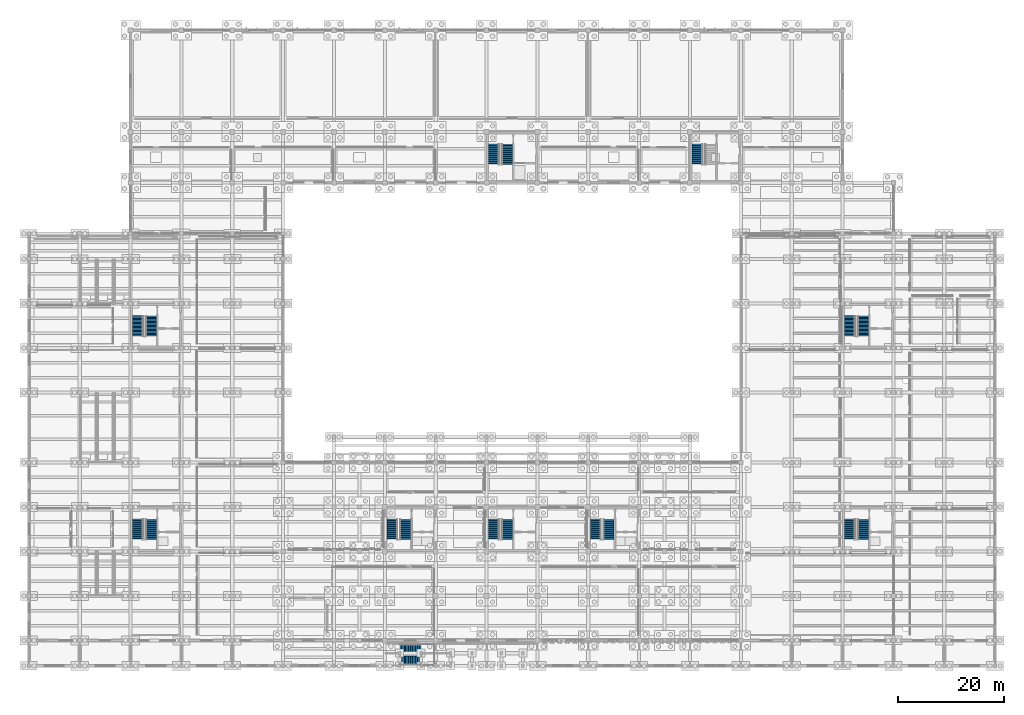
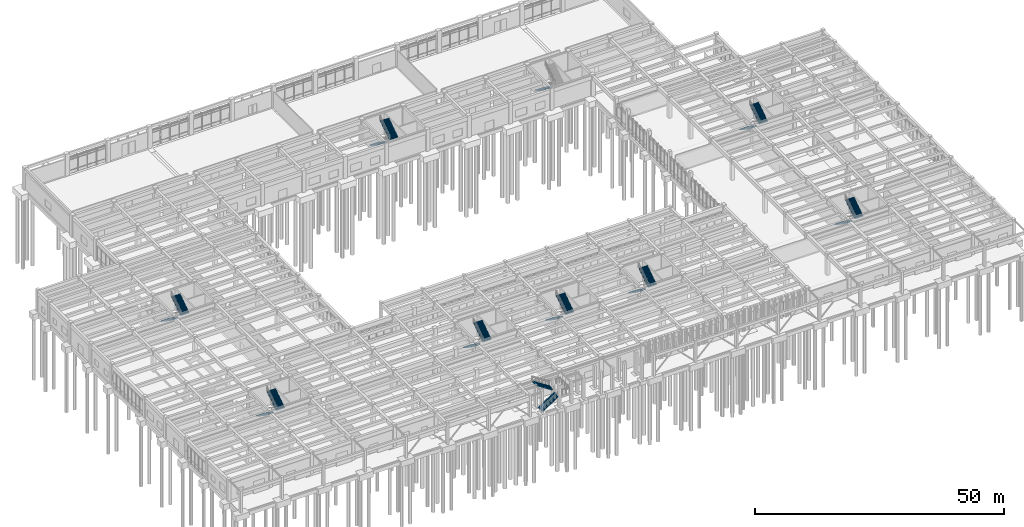
# One storey, part 86 of 102: 19 stair flights, 10 elements without a shape of their own.
"""IFC4 building model written with IfcOpenShell, lengths in metres."""

from ifc_helpers import new_model, si_unit, direction, frame, origin, place, context, subcontext, project, spatial, polyline, outline, extrude, material, type_object, element, aggregate, save


model = new_model("IFC4")

# Units and contexts
model_context = context("Model", 3, precision=1e-05, world=origin(), true_north=direction((0.0, 1.0)))
body_context = subcontext(model_context, "Body", "Model", "MODEL_VIEW")
ifc_project = project(units=[si_unit("LENGTHUNIT", "METRE"), si_unit("AREAUNIT", "SQUARE_METRE"), si_unit("VOLUMEUNIT", "CUBIC_METRE"), si_unit("PLANEANGLEUNIT", "RADIAN"), si_unit("MASSUNIT", "GRAM", prefix="KILO")], contexts=[model_context])

# Site, building, storey
site_placement = place(None, origin())
site = spatial("IfcSite", under=ifc_project, at=site_placement, CompositionType="ELEMENT")
building_placement = place(site_placement, origin())
building = spatial("IfcBuilding", under=site, at=building_placement, Name="Kolvemor Railside Polytechnic", CompositionType="ELEMENT")
storey_placement = place(building_placement, origin())
storey = spatial("IfcBuildingStorey", under=building, at=storey_placement, Name="L00", CompositionType="ELEMENT", Elevation=0.0)

# Stair, stair flights
ifc_material_1 = material(Name="Concrete C40/50", Category="concrete")
stair_type_1 = type_object("IfcStairType", Name="STR-CORE-540", PredefinedType="HALF_TURN_STAIR", material=ifc_material_1)
stair_1_placement = place(storey_placement, origin())
stair_1 = element("IfcStair", 1, at=stair_1_placement, inside=storey, type_object=stair_type_1, Name="Core Stair ST-1 (L00 to L01)", PredefinedType="HALF_TURN_STAIR")
ifc_material_2 = material(Name="Concrete C40/50", Category="concrete")
stair_flight_type_1 = type_object("IfcStairFlightType", Name="SFL-RC-200", PredefinedType="STRAIGHT", material=ifc_material_2)
stair_flight_1_placement = place(storey_placement, frame((68.580078125, 27.699951171875, 0.0), z_axis=(0.0, 0.0, 1.0), x_axis=(0.0, -1.0, 0.0)))
stair_flight_1 = element("IfcStairFlight", 2, at=stair_flight_1_placement, type_object=stair_flight_type_1, Name="ST-1-L00 flight 1", NumberOfRisers=16, NumberOfTreads=15, PredefinedType="STRAIGHT", RiserHeight=0.16875, TreadLength=0.252, context=body_context, shape_type="SweptSolid", body=[
    extrude(outline(polyline([(0.0, 0.0), (0.0, 0.168701171875), (0.251953125, 0.168701171875), (0.251953125, 0.33740234375), (0.50390625, 0.33740234375), (0.50390625, 0.50634765625), (0.756103515625, 0.50634765625), (0.756103515625, 0.675048828125), (1.008056640625, 0.675048828125), (1.008056640625, 0.84375), (1.260009765625, 0.84375), (1.260009765625, 1.012451171875), (1.511962890625, 1.012451171875), (1.511962890625, 1.18115234375), (1.763916015625, 1.18115234375), (1.763916015625, 1.35009765625), (2.01611328125, 1.35009765625), (2.01611328125, 1.518798828125), (2.26806640625, 1.518798828125), (2.26806640625, 1.6875), (2.52001953125, 1.6875), (2.52001953125, 1.856201171875), (2.77197265625, 1.856201171875), (2.77197265625, 2.02490234375), (3.02392578125, 2.02490234375), (3.02392578125, 2.19384765625), (3.27587890625, 2.19384765625), (3.27587890625, 2.362548828125), (3.528076171875, 2.362548828125), (3.528076171875, 2.53125), (3.780029296875, 2.53125), (3.780029296875, 2.699951171875), (3.780029296875, 2.314697265625), (0.323486328125, 0.0), (0.0, 0.0)])), frame((0.0, 1.0, 0.0), z_axis=(0.0, -1.0, 0.0), x_axis=(1.0, 0.0, 0.0)), (0.0, 0.0, 1.0), 2.0),
])
stair_flight_2_placement = place(storey_placement, frame((71.080078125, 23.860107421875, 2.699951171875), z_axis=(0.0, 0.0, 1.0), x_axis=(0.0, 1.0, 0.0)))
stair_flight_2 = element("IfcStairFlight", 3, at=stair_flight_2_placement, type_object=stair_flight_type_1, Name="ST-1-L00 flight 2", NumberOfRisers=16, NumberOfTreads=15, PredefinedType="STRAIGHT", RiserHeight=0.16875, TreadLength=0.252, context=body_context, shape_type="SweptSolid", body=[
    extrude(outline(polyline([(0.0, 0.0), (0.0, 0.168701171875), (0.251953125, 0.168701171875), (0.251953125, 0.33740234375), (0.50390625, 0.33740234375), (0.50390625, 0.50634765625), (0.756103515625, 0.50634765625), (0.756103515625, 0.675048828125), (1.008056640625, 0.675048828125), (1.008056640625, 0.84375), (1.260009765625, 0.84375), (1.260009765625, 1.012451171875), (1.511962890625, 1.012451171875), (1.511962890625, 1.18115234375), (1.763916015625, 1.18115234375), (1.763916015625, 1.35009765625), (2.01611328125, 1.35009765625), (2.01611328125, 1.518798828125), (2.26806640625, 1.518798828125), (2.26806640625, 1.6875), (2.52001953125, 1.6875), (2.52001953125, 1.856201171875), (2.77197265625, 1.856201171875), (2.77197265625, 2.02490234375), (3.02392578125, 2.02490234375), (3.02392578125, 2.19384765625), (3.27587890625, 2.19384765625), (3.27587890625, 2.362548828125), (3.528076171875, 2.362548828125), (3.528076171875, 2.53125), (3.780029296875, 2.53125), (3.780029296875, 2.699951171875), (3.780029296875, 2.314697265625), (0.323486328125, 0.0), (0.0, 0.0)])), frame((0.0, 1.0, 0.0), z_axis=(0.0, -1.0, 0.0), x_axis=(1.0, 0.0, 0.0)), (0.0, 0.0, 1.0), 2.0),
])
aggregate(stair_1, [stair_flight_1, stair_flight_2])

stair_2_placement = place(storey_placement, origin())
stair_2 = element("IfcStair", 4, at=stair_2_placement, inside=storey, type_object=stair_type_1, Name="Core Stair ST-2 (L00 to L01)", PredefinedType="HALF_TURN_STAIR")
stair_flight_3_placement = place(storey_placement, frame((106.97998046875, 27.699951171875, 0.0), z_axis=(0.0, 0.0, 1.0), x_axis=(0.0, -1.0, 0.0)))
stair_flight_3 = element("IfcStairFlight", 5, at=stair_flight_3_placement, type_object=stair_flight_type_1, Name="ST-2-L00 flight 1", NumberOfRisers=16, NumberOfTreads=15, PredefinedType="STRAIGHT", RiserHeight=0.16875, TreadLength=0.252, context=body_context, shape_type="SweptSolid", body=[
    extrude(outline(polyline([(0.0, 0.0), (0.0, 0.168701171875), (0.251953125, 0.168701171875), (0.251953125, 0.33740234375), (0.50390625, 0.33740234375), (0.50390625, 0.50634765625), (0.756103515625, 0.50634765625), (0.756103515625, 0.675048828125), (1.008056640625, 0.675048828125), (1.008056640625, 0.84375), (1.260009765625, 0.84375), (1.260009765625, 1.012451171875), (1.511962890625, 1.012451171875), (1.511962890625, 1.18115234375), (1.763916015625, 1.18115234375), (1.763916015625, 1.35009765625), (2.01611328125, 1.35009765625), (2.01611328125, 1.518798828125), (2.26806640625, 1.518798828125), (2.26806640625, 1.6875), (2.52001953125, 1.6875), (2.52001953125, 1.856201171875), (2.77197265625, 1.856201171875), (2.77197265625, 2.02490234375), (3.02392578125, 2.02490234375), (3.02392578125, 2.19384765625), (3.27587890625, 2.19384765625), (3.27587890625, 2.362548828125), (3.528076171875, 2.362548828125), (3.528076171875, 2.53125), (3.780029296875, 2.53125), (3.780029296875, 2.699951171875), (3.780029296875, 2.314697265625), (0.323486328125, 0.0), (0.0, 0.0)])), frame((0.0, 1.0, 0.0), z_axis=(0.0, -1.0, 0.0), x_axis=(1.0, 0.0, 0.0)), (0.0, 0.0, 1.0), 2.0),
])
stair_flight_4_placement = place(storey_placement, frame((109.47998046875, 23.860107421875, 2.699951171875), z_axis=(0.0, 0.0, 1.0), x_axis=(0.0, 1.0, 0.0)))
stair_flight_4 = element("IfcStairFlight", 6, at=stair_flight_4_placement, type_object=stair_flight_type_1, Name="ST-2-L00 flight 2", NumberOfRisers=16, NumberOfTreads=15, PredefinedType="STRAIGHT", RiserHeight=0.16875, TreadLength=0.252, context=body_context, shape_type="SweptSolid", body=[
    extrude(outline(polyline([(0.0, 0.0), (0.0, 0.168701171875), (0.251953125, 0.168701171875), (0.251953125, 0.33740234375), (0.50390625, 0.33740234375), (0.50390625, 0.50634765625), (0.756103515625, 0.50634765625), (0.756103515625, 0.675048828125), (1.008056640625, 0.675048828125), (1.008056640625, 0.84375), (1.260009765625, 0.84375), (1.260009765625, 1.012451171875), (1.511962890625, 1.012451171875), (1.511962890625, 1.18115234375), (1.763916015625, 1.18115234375), (1.763916015625, 1.35009765625), (2.01611328125, 1.35009765625), (2.01611328125, 1.518798828125), (2.26806640625, 1.518798828125), (2.26806640625, 1.6875), (2.52001953125, 1.6875), (2.52001953125, 1.856201171875), (2.77197265625, 1.856201171875), (2.77197265625, 2.02490234375), (3.02392578125, 2.02490234375), (3.02392578125, 2.19384765625), (3.27587890625, 2.19384765625), (3.27587890625, 2.362548828125), (3.528076171875, 2.362548828125), (3.528076171875, 2.53125), (3.780029296875, 2.53125), (3.780029296875, 2.699951171875), (3.780029296875, 2.314697265625), (0.323486328125, 0.0), (0.0, 0.0)])), frame((0.0, 1.0, 0.0), z_axis=(0.0, -1.0, 0.0), x_axis=(1.0, 0.0, 0.0)), (0.0, 0.0, 1.0), 2.0),
])
aggregate(stair_2, [stair_flight_3, stair_flight_4])

stair_3_placement = place(storey_placement, origin())
stair_3 = element("IfcStair", 7, at=stair_3_placement, inside=storey, type_object=stair_type_1, Name="Core Stair ST-3 (L00 to L01)", PredefinedType="HALF_TURN_STAIR")
stair_flight_5_placement = place(storey_placement, frame((87.780029296875, 27.699951171875, 0.0), z_axis=(0.0, 0.0, 1.0), x_axis=(0.0, -1.0, 0.0)))
stair_flight_5 = element("IfcStairFlight", 8, at=stair_flight_5_placement, type_object=stair_flight_type_1, Name="ST-3-L00 flight 1", NumberOfRisers=16, NumberOfTreads=15, PredefinedType="STRAIGHT", RiserHeight=0.16875, TreadLength=0.252, context=body_context, shape_type="SweptSolid", body=[
    extrude(outline(polyline([(0.0, 0.0), (0.0, 0.168701171875), (0.251953125, 0.168701171875), (0.251953125, 0.33740234375), (0.50390625, 0.33740234375), (0.50390625, 0.50634765625), (0.756103515625, 0.50634765625), (0.756103515625, 0.675048828125), (1.008056640625, 0.675048828125), (1.008056640625, 0.84375), (1.260009765625, 0.84375), (1.260009765625, 1.012451171875), (1.511962890625, 1.012451171875), (1.511962890625, 1.18115234375), (1.763916015625, 1.18115234375), (1.763916015625, 1.35009765625), (2.01611328125, 1.35009765625), (2.01611328125, 1.518798828125), (2.26806640625, 1.518798828125), (2.26806640625, 1.6875), (2.52001953125, 1.6875), (2.52001953125, 1.856201171875), (2.77197265625, 1.856201171875), (2.77197265625, 2.02490234375), (3.02392578125, 2.02490234375), (3.02392578125, 2.19384765625), (3.27587890625, 2.19384765625), (3.27587890625, 2.362548828125), (3.528076171875, 2.362548828125), (3.528076171875, 2.53125), (3.780029296875, 2.53125), (3.780029296875, 2.699951171875), (3.780029296875, 2.314697265625), (0.323486328125, 0.0), (0.0, 0.0)])), frame((0.0, 1.0, 0.0), z_axis=(0.0, -1.0, 0.0), x_axis=(1.0, 0.0, 0.0)), (0.0, 0.0, 1.0), 2.0),
])
stair_flight_6_placement = place(storey_placement, frame((90.280029296875, 23.860107421875, 2.699951171875), z_axis=(0.0, 0.0, 1.0), x_axis=(0.0, 1.0, 0.0)))
stair_flight_6 = element("IfcStairFlight", 9, at=stair_flight_6_placement, type_object=stair_flight_type_1, Name="ST-3-L00 flight 2", NumberOfRisers=16, NumberOfTreads=15, PredefinedType="STRAIGHT", RiserHeight=0.16875, TreadLength=0.252, context=body_context, shape_type="SweptSolid", body=[
    extrude(outline(polyline([(0.0, 0.0), (0.0, 0.168701171875), (0.251953125, 0.168701171875), (0.251953125, 0.33740234375), (0.50390625, 0.33740234375), (0.50390625, 0.50634765625), (0.756103515625, 0.50634765625), (0.756103515625, 0.675048828125), (1.008056640625, 0.675048828125), (1.008056640625, 0.84375), (1.260009765625, 0.84375), (1.260009765625, 1.012451171875), (1.511962890625, 1.012451171875), (1.511962890625, 1.18115234375), (1.763916015625, 1.18115234375), (1.763916015625, 1.35009765625), (2.01611328125, 1.35009765625), (2.01611328125, 1.518798828125), (2.26806640625, 1.518798828125), (2.26806640625, 1.6875), (2.52001953125, 1.6875), (2.52001953125, 1.856201171875), (2.77197265625, 1.856201171875), (2.77197265625, 2.02490234375), (3.02392578125, 2.02490234375), (3.02392578125, 2.19384765625), (3.27587890625, 2.19384765625), (3.27587890625, 2.362548828125), (3.528076171875, 2.362548828125), (3.528076171875, 2.53125), (3.780029296875, 2.53125), (3.780029296875, 2.699951171875), (3.780029296875, 2.314697265625), (0.323486328125, 0.0), (0.0, 0.0)])), frame((0.0, 1.0, 0.0), z_axis=(0.0, -1.0, 0.0), x_axis=(1.0, 0.0, 0.0)), (0.0, 0.0, 1.0), 2.0),
])
aggregate(stair_3, [stair_flight_5, stair_flight_6])

stair_4_placement = place(storey_placement, origin())
stair_4 = element("IfcStair", 10, at=stair_4_placement, inside=storey, type_object=stair_type_1, Name="Core Stair ST-4 (L00 to L01)", PredefinedType="HALF_TURN_STAIR")
stair_flight_7_placement = place(storey_placement, frame((20.580078125, 27.699951171875, 0.0), z_axis=(0.0, 0.0, 1.0), x_axis=(0.0, -1.0, 0.0)))
stair_flight_7 = element("IfcStairFlight", 11, at=stair_flight_7_placement, type_object=stair_flight_type_1, Name="ST-4-L00 flight 1", NumberOfRisers=16, NumberOfTreads=15, PredefinedType="STRAIGHT", RiserHeight=0.16875, TreadLength=0.252, context=body_context, shape_type="SweptSolid", body=[
    extrude(outline(polyline([(0.0, 0.0), (0.0, 0.168701171875), (0.251953125, 0.168701171875), (0.251953125, 0.33740234375), (0.50390625, 0.33740234375), (0.50390625, 0.50634765625), (0.756103515625, 0.50634765625), (0.756103515625, 0.675048828125), (1.008056640625, 0.675048828125), (1.008056640625, 0.84375), (1.260009765625, 0.84375), (1.260009765625, 1.012451171875), (1.511962890625, 1.012451171875), (1.511962890625, 1.18115234375), (1.763916015625, 1.18115234375), (1.763916015625, 1.35009765625), (2.01611328125, 1.35009765625), (2.01611328125, 1.518798828125), (2.26806640625, 1.518798828125), (2.26806640625, 1.6875), (2.52001953125, 1.6875), (2.52001953125, 1.856201171875), (2.77197265625, 1.856201171875), (2.77197265625, 2.02490234375), (3.02392578125, 2.02490234375), (3.02392578125, 2.19384765625), (3.27587890625, 2.19384765625), (3.27587890625, 2.362548828125), (3.528076171875, 2.362548828125), (3.528076171875, 2.53125), (3.780029296875, 2.53125), (3.780029296875, 2.699951171875), (3.780029296875, 2.314697265625), (0.323486328125, 0.0), (0.0, 0.0)])), frame((0.0, 1.0, 0.0), z_axis=(0.0, -1.0, 0.0), x_axis=(1.0, 0.0, 0.0)), (0.0, 0.0, 1.0), 2.0),
])
stair_flight_8_placement = place(storey_placement, frame((23.080078125, 23.860107421875, 2.699951171875), z_axis=(0.0, 0.0, 1.0), x_axis=(0.0, 1.0, 0.0)))
stair_flight_8 = element("IfcStairFlight", 12, at=stair_flight_8_placement, type_object=stair_flight_type_1, Name="ST-4-L00 flight 2", NumberOfRisers=16, NumberOfTreads=15, PredefinedType="STRAIGHT", RiserHeight=0.16875, TreadLength=0.252, context=body_context, shape_type="SweptSolid", body=[
    extrude(outline(polyline([(0.0, 0.0), (0.0, 0.168701171875), (0.251953125, 0.168701171875), (0.251953125, 0.33740234375), (0.50390625, 0.33740234375), (0.50390625, 0.50634765625), (0.756103515625, 0.50634765625), (0.756103515625, 0.675048828125), (1.008056640625, 0.675048828125), (1.008056640625, 0.84375), (1.260009765625, 0.84375), (1.260009765625, 1.012451171875), (1.511962890625, 1.012451171875), (1.511962890625, 1.18115234375), (1.763916015625, 1.18115234375), (1.763916015625, 1.35009765625), (2.01611328125, 1.35009765625), (2.01611328125, 1.518798828125), (2.26806640625, 1.518798828125), (2.26806640625, 1.6875), (2.52001953125, 1.6875), (2.52001953125, 1.856201171875), (2.77197265625, 1.856201171875), (2.77197265625, 2.02490234375), (3.02392578125, 2.02490234375), (3.02392578125, 2.19384765625), (3.27587890625, 2.19384765625), (3.27587890625, 2.362548828125), (3.528076171875, 2.362548828125), (3.528076171875, 2.53125), (3.780029296875, 2.53125), (3.780029296875, 2.699951171875), (3.780029296875, 2.314697265625), (0.323486328125, 0.0), (0.0, 0.0)])), frame((0.0, 1.0, 0.0), z_axis=(0.0, -1.0, 0.0), x_axis=(1.0, 0.0, 0.0)), (0.0, 0.0, 1.0), 2.0),
])
aggregate(stair_4, [stair_flight_7, stair_flight_8])

stair_5_placement = place(storey_placement, origin())
stair_5 = element("IfcStair", 13, at=stair_5_placement, inside=storey, type_object=stair_type_1, Name="Core Stair ST-5 (L00 to L01)", PredefinedType="HALF_TURN_STAIR")
stair_flight_9_placement = place(storey_placement, frame((20.580078125, 66.10009765625, 0.0), z_axis=(0.0, 0.0, 1.0), x_axis=(0.0, -1.0, 0.0)))
stair_flight_9 = element("IfcStairFlight", 14, at=stair_flight_9_placement, type_object=stair_flight_type_1, Name="ST-5-L00 flight 1", NumberOfRisers=16, NumberOfTreads=15, PredefinedType="STRAIGHT", RiserHeight=0.16875, TreadLength=0.252, context=body_context, shape_type="SweptSolid", body=[
    extrude(outline(polyline([(0.0, 0.0), (0.0, 0.168701171875), (0.251953125, 0.168701171875), (0.251953125, 0.33740234375), (0.50390625, 0.33740234375), (0.50390625, 0.50634765625), (0.756103515625, 0.50634765625), (0.756103515625, 0.675048828125), (1.008056640625, 0.675048828125), (1.008056640625, 0.84375), (1.260009765625, 0.84375), (1.260009765625, 1.012451171875), (1.511962890625, 1.012451171875), (1.511962890625, 1.18115234375), (1.763916015625, 1.18115234375), (1.763916015625, 1.35009765625), (2.01611328125, 1.35009765625), (2.01611328125, 1.518798828125), (2.26806640625, 1.518798828125), (2.26806640625, 1.6875), (2.52001953125, 1.6875), (2.52001953125, 1.856201171875), (2.77197265625, 1.856201171875), (2.77197265625, 2.02490234375), (3.02392578125, 2.02490234375), (3.02392578125, 2.19384765625), (3.27587890625, 2.19384765625), (3.27587890625, 2.362548828125), (3.528076171875, 2.362548828125), (3.528076171875, 2.53125), (3.780029296875, 2.53125), (3.780029296875, 2.699951171875), (3.780029296875, 2.314697265625), (0.323486328125, 0.0), (0.0, 0.0)])), frame((0.0, 1.0, 0.0), z_axis=(0.0, -1.0, 0.0), x_axis=(1.0, 0.0, 0.0)), (0.0, 0.0, 1.0), 2.0),
])
stair_flight_10_placement = place(storey_placement, frame((23.080078125, 62.260009765625, 2.699951171875), z_axis=(0.0, 0.0, 1.0), x_axis=(0.0, 1.0, 0.0)))
stair_flight_10 = element("IfcStairFlight", 15, at=stair_flight_10_placement, type_object=stair_flight_type_1, Name="ST-5-L00 flight 2", NumberOfRisers=16, NumberOfTreads=15, PredefinedType="STRAIGHT", RiserHeight=0.16875, TreadLength=0.252, context=body_context, shape_type="SweptSolid", body=[
    extrude(outline(polyline([(0.0, 0.0), (0.0, 0.168701171875), (0.251953125, 0.168701171875), (0.251953125, 0.33740234375), (0.50390625, 0.33740234375), (0.50390625, 0.50634765625), (0.756103515625, 0.50634765625), (0.756103515625, 0.675048828125), (1.008056640625, 0.675048828125), (1.008056640625, 0.84375), (1.260009765625, 0.84375), (1.260009765625, 1.012451171875), (1.511962890625, 1.012451171875), (1.511962890625, 1.18115234375), (1.763916015625, 1.18115234375), (1.763916015625, 1.35009765625), (2.01611328125, 1.35009765625), (2.01611328125, 1.518798828125), (2.26806640625, 1.518798828125), (2.26806640625, 1.6875), (2.52001953125, 1.6875), (2.52001953125, 1.856201171875), (2.77197265625, 1.856201171875), (2.77197265625, 2.02490234375), (3.02392578125, 2.02490234375), (3.02392578125, 2.19384765625), (3.27587890625, 2.19384765625), (3.27587890625, 2.362548828125), (3.528076171875, 2.362548828125), (3.528076171875, 2.53125), (3.780029296875, 2.53125), (3.780029296875, 2.699951171875), (3.780029296875, 2.314697265625), (0.323486328125, 0.0), (0.0, 0.0)])), frame((0.0, 1.0, 0.0), z_axis=(0.0, -1.0, 0.0), x_axis=(1.0, 0.0, 0.0)), (0.0, 0.0, 1.0), 2.0),
])
aggregate(stair_5, [stair_flight_9, stair_flight_10])

stair_6_placement = place(storey_placement, origin())
stair_6 = element("IfcStair", 16, at=stair_6_placement, inside=storey, type_object=stair_type_1, Name="Core Stair ST-6 (L00 to L01)", PredefinedType="HALF_TURN_STAIR")
stair_flight_11_placement = place(storey_placement, frame((154.97998046875, 27.699951171875, 0.0), z_axis=(0.0, 0.0, 1.0), x_axis=(0.0, -1.0, 0.0)))
stair_flight_11 = element("IfcStairFlight", 17, at=stair_flight_11_placement, type_object=stair_flight_type_1, Name="ST-6-L00 flight 1", NumberOfRisers=16, NumberOfTreads=15, PredefinedType="STRAIGHT", RiserHeight=0.16875, TreadLength=0.252, context=body_context, shape_type="SweptSolid", body=[
    extrude(outline(polyline([(0.0, 0.0), (0.0, 0.168701171875), (0.251953125, 0.168701171875), (0.251953125, 0.33740234375), (0.50390625, 0.33740234375), (0.50390625, 0.50634765625), (0.756103515625, 0.50634765625), (0.756103515625, 0.675048828125), (1.008056640625, 0.675048828125), (1.008056640625, 0.84375), (1.260009765625, 0.84375), (1.260009765625, 1.012451171875), (1.511962890625, 1.012451171875), (1.511962890625, 1.18115234375), (1.763916015625, 1.18115234375), (1.763916015625, 1.35009765625), (2.01611328125, 1.35009765625), (2.01611328125, 1.518798828125), (2.26806640625, 1.518798828125), (2.26806640625, 1.6875), (2.52001953125, 1.6875), (2.52001953125, 1.856201171875), (2.77197265625, 1.856201171875), (2.77197265625, 2.02490234375), (3.02392578125, 2.02490234375), (3.02392578125, 2.19384765625), (3.27587890625, 2.19384765625), (3.27587890625, 2.362548828125), (3.528076171875, 2.362548828125), (3.528076171875, 2.53125), (3.780029296875, 2.53125), (3.780029296875, 2.699951171875), (3.780029296875, 2.314697265625), (0.323486328125, 0.0), (0.0, 0.0)])), frame((0.0, 1.0, 0.0), z_axis=(0.0, -1.0, 0.0), x_axis=(1.0, 0.0, 0.0)), (0.0, 0.0, 1.0), 2.0),
])
stair_flight_12_placement = place(storey_placement, frame((157.47998046875, 23.860107421875, 2.699951171875), z_axis=(0.0, 0.0, 1.0), x_axis=(0.0, 1.0, 0.0)))
stair_flight_12 = element("IfcStairFlight", 18, at=stair_flight_12_placement, type_object=stair_flight_type_1, Name="ST-6-L00 flight 2", NumberOfRisers=16, NumberOfTreads=15, PredefinedType="STRAIGHT", RiserHeight=0.16875, TreadLength=0.252, context=body_context, shape_type="SweptSolid", body=[
    extrude(outline(polyline([(0.0, 0.0), (0.0, 0.168701171875), (0.251953125, 0.168701171875), (0.251953125, 0.33740234375), (0.50390625, 0.33740234375), (0.50390625, 0.50634765625), (0.756103515625, 0.50634765625), (0.756103515625, 0.675048828125), (1.008056640625, 0.675048828125), (1.008056640625, 0.84375), (1.260009765625, 0.84375), (1.260009765625, 1.012451171875), (1.511962890625, 1.012451171875), (1.511962890625, 1.18115234375), (1.763916015625, 1.18115234375), (1.763916015625, 1.35009765625), (2.01611328125, 1.35009765625), (2.01611328125, 1.518798828125), (2.26806640625, 1.518798828125), (2.26806640625, 1.6875), (2.52001953125, 1.6875), (2.52001953125, 1.856201171875), (2.77197265625, 1.856201171875), (2.77197265625, 2.02490234375), (3.02392578125, 2.02490234375), (3.02392578125, 2.19384765625), (3.27587890625, 2.19384765625), (3.27587890625, 2.362548828125), (3.528076171875, 2.362548828125), (3.528076171875, 2.53125), (3.780029296875, 2.53125), (3.780029296875, 2.699951171875), (3.780029296875, 2.314697265625), (0.323486328125, 0.0), (0.0, 0.0)])), frame((0.0, 1.0, 0.0), z_axis=(0.0, -1.0, 0.0), x_axis=(1.0, 0.0, 0.0)), (0.0, 0.0, 1.0), 2.0),
])
aggregate(stair_6, [stair_flight_11, stair_flight_12])

stair_7_placement = place(storey_placement, origin())
stair_7 = element("IfcStair", 19, at=stair_7_placement, inside=storey, type_object=stair_type_1, Name="Core Stair ST-7 (L00 to L01)", PredefinedType="HALF_TURN_STAIR")
stair_flight_13_placement = place(storey_placement, frame((154.97998046875, 66.10009765625, 0.0), z_axis=(0.0, 0.0, 1.0), x_axis=(0.0, -1.0, 0.0)))
stair_flight_13 = element("IfcStairFlight", 20, at=stair_flight_13_placement, type_object=stair_flight_type_1, Name="ST-7-L00 flight 1", NumberOfRisers=16, NumberOfTreads=15, PredefinedType="STRAIGHT", RiserHeight=0.16875, TreadLength=0.252, context=body_context, shape_type="SweptSolid", body=[
    extrude(outline(polyline([(0.0, 0.0), (0.0, 0.168701171875), (0.251953125, 0.168701171875), (0.251953125, 0.33740234375), (0.50390625, 0.33740234375), (0.50390625, 0.50634765625), (0.756103515625, 0.50634765625), (0.756103515625, 0.675048828125), (1.008056640625, 0.675048828125), (1.008056640625, 0.84375), (1.260009765625, 0.84375), (1.260009765625, 1.012451171875), (1.511962890625, 1.012451171875), (1.511962890625, 1.18115234375), (1.763916015625, 1.18115234375), (1.763916015625, 1.35009765625), (2.01611328125, 1.35009765625), (2.01611328125, 1.518798828125), (2.26806640625, 1.518798828125), (2.26806640625, 1.6875), (2.52001953125, 1.6875), (2.52001953125, 1.856201171875), (2.77197265625, 1.856201171875), (2.77197265625, 2.02490234375), (3.02392578125, 2.02490234375), (3.02392578125, 2.19384765625), (3.27587890625, 2.19384765625), (3.27587890625, 2.362548828125), (3.528076171875, 2.362548828125), (3.528076171875, 2.53125), (3.780029296875, 2.53125), (3.780029296875, 2.699951171875), (3.780029296875, 2.314697265625), (0.323486328125, 0.0), (0.0, 0.0)])), frame((0.0, 1.0, 0.0), z_axis=(0.0, -1.0, 0.0), x_axis=(1.0, 0.0, 0.0)), (0.0, 0.0, 1.0), 2.0),
])
stair_flight_14_placement = place(storey_placement, frame((157.47998046875, 62.260009765625, 2.699951171875), z_axis=(0.0, 0.0, 1.0), x_axis=(0.0, 1.0, 0.0)))
stair_flight_14 = element("IfcStairFlight", 21, at=stair_flight_14_placement, type_object=stair_flight_type_1, Name="ST-7-L00 flight 2", NumberOfRisers=16, NumberOfTreads=15, PredefinedType="STRAIGHT", RiserHeight=0.16875, TreadLength=0.252, context=body_context, shape_type="SweptSolid", body=[
    extrude(outline(polyline([(0.0, 0.0), (0.0, 0.168701171875), (0.251953125, 0.168701171875), (0.251953125, 0.33740234375), (0.50390625, 0.33740234375), (0.50390625, 0.50634765625), (0.756103515625, 0.50634765625), (0.756103515625, 0.675048828125), (1.008056640625, 0.675048828125), (1.008056640625, 0.84375), (1.260009765625, 0.84375), (1.260009765625, 1.012451171875), (1.511962890625, 1.012451171875), (1.511962890625, 1.18115234375), (1.763916015625, 1.18115234375), (1.763916015625, 1.35009765625), (2.01611328125, 1.35009765625), (2.01611328125, 1.518798828125), (2.26806640625, 1.518798828125), (2.26806640625, 1.6875), (2.52001953125, 1.6875), (2.52001953125, 1.856201171875), (2.77197265625, 1.856201171875), (2.77197265625, 2.02490234375), (3.02392578125, 2.02490234375), (3.02392578125, 2.19384765625), (3.27587890625, 2.19384765625), (3.27587890625, 2.362548828125), (3.528076171875, 2.362548828125), (3.528076171875, 2.53125), (3.780029296875, 2.53125), (3.780029296875, 2.699951171875), (3.780029296875, 2.314697265625), (0.323486328125, 0.0), (0.0, 0.0)])), frame((0.0, 1.0, 0.0), z_axis=(0.0, -1.0, 0.0), x_axis=(1.0, 0.0, 0.0)), (0.0, 0.0, 1.0), 2.0),
])
aggregate(stair_7, [stair_flight_13, stair_flight_14])

stair_8_placement = place(storey_placement, origin())
stair_8 = element("IfcStair", 22, at=stair_8_placement, inside=storey, type_object=stair_type_1, Name="Core Stair ST-8 (L00 to L01)", PredefinedType="HALF_TURN_STAIR")
stair_flight_15_placement = place(storey_placement, frame((87.780029296875, 98.5, 0.0), z_axis=(0.0, 0.0, 1.0), x_axis=(0.0, -1.0, 0.0)))
stair_flight_15 = element("IfcStairFlight", 23, at=stair_flight_15_placement, type_object=stair_flight_type_1, Name="ST-8-L00 flight 1", NumberOfRisers=16, NumberOfTreads=15, PredefinedType="STRAIGHT", RiserHeight=0.16875, TreadLength=0.252, context=body_context, shape_type="SweptSolid", body=[
    extrude(outline(polyline([(0.0, 0.0), (0.0, 0.168701171875), (0.251953125, 0.168701171875), (0.251953125, 0.33740234375), (0.50390625, 0.33740234375), (0.50390625, 0.50634765625), (0.756103515625, 0.50634765625), (0.756103515625, 0.675048828125), (1.008056640625, 0.675048828125), (1.008056640625, 0.84375), (1.260009765625, 0.84375), (1.260009765625, 1.012451171875), (1.511962890625, 1.012451171875), (1.511962890625, 1.18115234375), (1.763916015625, 1.18115234375), (1.763916015625, 1.35009765625), (2.01611328125, 1.35009765625), (2.01611328125, 1.518798828125), (2.26806640625, 1.518798828125), (2.26806640625, 1.6875), (2.52001953125, 1.6875), (2.52001953125, 1.856201171875), (2.77197265625, 1.856201171875), (2.77197265625, 2.02490234375), (3.02392578125, 2.02490234375), (3.02392578125, 2.19384765625), (3.27587890625, 2.19384765625), (3.27587890625, 2.362548828125), (3.528076171875, 2.362548828125), (3.528076171875, 2.53125), (3.780029296875, 2.53125), (3.780029296875, 2.699951171875), (3.780029296875, 2.314697265625), (0.323486328125, 0.0), (0.0, 0.0)])), frame((0.0, 1.0, 0.0), z_axis=(0.0, -1.0, 0.0), x_axis=(1.0, 0.0, 0.0)), (0.0, 0.0, 1.0), 2.0),
])
stair_flight_16_placement = place(storey_placement, frame((90.280029296875, 94.659912109375, 2.699951171875), z_axis=(0.0, 0.0, 1.0), x_axis=(0.0, 1.0, 0.0)))
stair_flight_16 = element("IfcStairFlight", 24, at=stair_flight_16_placement, type_object=stair_flight_type_1, Name="ST-8-L00 flight 2", NumberOfRisers=16, NumberOfTreads=15, PredefinedType="STRAIGHT", RiserHeight=0.16875, TreadLength=0.252, context=body_context, shape_type="SweptSolid", body=[
    extrude(outline(polyline([(0.0, 0.0), (0.0, 0.168701171875), (0.251953125, 0.168701171875), (0.251953125, 0.33740234375), (0.50390625, 0.33740234375), (0.50390625, 0.50634765625), (0.756103515625, 0.50634765625), (0.756103515625, 0.675048828125), (1.008056640625, 0.675048828125), (1.008056640625, 0.84375), (1.260009765625, 0.84375), (1.260009765625, 1.012451171875), (1.511962890625, 1.012451171875), (1.511962890625, 1.18115234375), (1.763916015625, 1.18115234375), (1.763916015625, 1.35009765625), (2.01611328125, 1.35009765625), (2.01611328125, 1.518798828125), (2.26806640625, 1.518798828125), (2.26806640625, 1.6875), (2.52001953125, 1.6875), (2.52001953125, 1.856201171875), (2.77197265625, 1.856201171875), (2.77197265625, 2.02490234375), (3.02392578125, 2.02490234375), (3.02392578125, 2.19384765625), (3.27587890625, 2.19384765625), (3.27587890625, 2.362548828125), (3.528076171875, 2.362548828125), (3.528076171875, 2.53125), (3.780029296875, 2.53125), (3.780029296875, 2.699951171875), (3.780029296875, 2.314697265625), (0.323486328125, 0.0), (0.0, 0.0)])), frame((0.0, 1.0, 0.0), z_axis=(0.0, -1.0, 0.0), x_axis=(1.0, 0.0, 0.0)), (0.0, 0.0, 1.0), 2.0),
])
aggregate(stair_8, [stair_flight_15, stair_flight_16])

# Stair, stair flight
stair_9_placement = place(storey_placement, origin())
stair_9 = element("IfcStair", 25, at=stair_9_placement, inside=storey, type_object=stair_type_1, Name="Core Stair ST-9 (L00 to L01)", PredefinedType="HALF_TURN_STAIR")
stair_flight_17_placement = place(storey_placement, frame((126.179931640625, 98.5, 0.0), z_axis=(0.0, 0.0, 1.0), x_axis=(0.0, -1.0, 0.0)))
stair_flight_17 = element("IfcStairFlight", 26, at=stair_flight_17_placement, type_object=stair_flight_type_1, Name="ST-9-L00 flight 1", NumberOfRisers=16, NumberOfTreads=15, PredefinedType="STRAIGHT", RiserHeight=0.16875, TreadLength=0.252, context=body_context, shape_type="SweptSolid", body=[
    extrude(outline(polyline([(0.0, 0.0), (0.0, 0.168701171875), (0.251953125, 0.168701171875), (0.251953125, 0.33740234375), (0.50390625, 0.33740234375), (0.50390625, 0.50634765625), (0.756103515625, 0.50634765625), (0.756103515625, 0.675048828125), (1.008056640625, 0.675048828125), (1.008056640625, 0.84375), (1.260009765625, 0.84375), (1.260009765625, 1.012451171875), (1.511962890625, 1.012451171875), (1.511962890625, 1.18115234375), (1.763916015625, 1.18115234375), (1.763916015625, 1.35009765625), (2.01611328125, 1.35009765625), (2.01611328125, 1.518798828125), (2.26806640625, 1.518798828125), (2.26806640625, 1.6875), (2.52001953125, 1.6875), (2.52001953125, 1.856201171875), (2.77197265625, 1.856201171875), (2.77197265625, 2.02490234375), (3.02392578125, 2.02490234375), (3.02392578125, 2.19384765625), (3.27587890625, 2.19384765625), (3.27587890625, 2.362548828125), (3.528076171875, 2.362548828125), (3.528076171875, 2.53125), (3.780029296875, 2.53125), (3.780029296875, 2.699951171875), (3.780029296875, 2.314697265625), (0.323486328125, 0.0), (0.0, 0.0)])), frame((0.0, 1.0, 0.0), z_axis=(0.0, -1.0, 0.0), x_axis=(1.0, 0.0, 0.0)), (0.0, 0.0, 1.0), 2.0),
])
aggregate(stair_9, [stair_flight_17])

# Stair, stair flights
ifc_material_3 = material(Name="Steel S355", Category="steel")
stair_type_2 = type_object("IfcStairType", Name="STR-EXT-ZIG", PredefinedType="HALF_TURN_STAIR", material=ifc_material_3)
stair_10_placement = place(storey_placement, origin())
stair_10 = element("IfcStair", 27, at=stair_10_placement, inside=storey, type_object=stair_type_2, Name="External Zigzag Terrace Stair (L00 to L01)", PredefinedType="HALF_TURN_STAIR")
ifc_material_4 = material(Name="Steel S355", Category="steel")
stair_flight_type_2 = type_object("IfcStairFlightType", Name="SFL-ST-168", PredefinedType="STRAIGHT", material=ifc_material_4)
stair_flight_18_placement = place(storey_placement, frame((70.10009765625, 1.0, 0.0), z_axis=(0.0, 0.0, 1.0), x_axis=(1.0, 0.0, 0.0)))
stair_flight_18 = element("IfcStairFlight", 28, at=stair_flight_18_placement, type_object=stair_flight_type_2, Name="ST-EXT-L00 flight 1", NumberOfRisers=16, NumberOfTreads=15, PredefinedType="STRAIGHT", RiserHeight=0.16875, TreadLength=0.26, context=body_context, shape_type="SweptSolid", body=[
    extrude(outline(polyline([(0.0, 0.0), (0.0, 0.168701171875), (0.260009765625, 0.168701171875), (0.260009765625, 0.33740234375), (0.52001953125, 0.33740234375), (0.52001953125, 0.50634765625), (0.780029296875, 0.50634765625), (0.780029296875, 0.675048828125), (1.0400390625, 0.675048828125), (1.0400390625, 0.84375), (1.300048828125, 0.84375), (1.300048828125, 1.012451171875), (1.56005859375, 1.012451171875), (1.56005859375, 1.18115234375), (1.820068359375, 1.18115234375), (1.820068359375, 1.35009765625), (2.080078125, 1.35009765625), (2.080078125, 1.518798828125), (2.340087890625, 1.518798828125), (2.340087890625, 1.6875), (2.60009765625, 1.6875), (2.60009765625, 1.856201171875), (2.860107421875, 1.856201171875), (2.860107421875, 2.02490234375), (3.1201171875, 2.02490234375), (3.1201171875, 2.19384765625), (3.3798828125, 2.19384765625), (3.3798828125, 2.362548828125), (3.639892578125, 2.362548828125), (3.639892578125, 2.53125), (3.89990234375, 2.53125), (3.89990234375, 2.699951171875), (3.89990234375, 2.32861328125), (0.31201171875, 0.0), (0.0, 0.0)])), frame((0.0, 0.83984375, 0.0), z_axis=(0.0, -1.0, 0.0), x_axis=(1.0, 0.0, 0.0)), (0.0, 0.0, 1.0), 1.679931640625),
])
stair_flight_19_placement = place(storey_placement, frame((74.0, 3.199951171875, 2.699951171875), z_axis=(0.0, 0.0, 1.0), x_axis=(-1.0, 0.0, 0.0)))
stair_flight_19 = element("IfcStairFlight", 29, at=stair_flight_19_placement, type_object=stair_flight_type_2, Name="ST-EXT-L00 flight 2", NumberOfRisers=16, NumberOfTreads=15, PredefinedType="STRAIGHT", RiserHeight=0.16875, TreadLength=0.26, context=body_context, shape_type="SweptSolid", body=[
    extrude(outline(polyline([(0.0, 0.0), (0.0, 0.168701171875), (0.260009765625, 0.168701171875), (0.260009765625, 0.33740234375), (0.52001953125, 0.33740234375), (0.52001953125, 0.50634765625), (0.780029296875, 0.50634765625), (0.780029296875, 0.675048828125), (1.0400390625, 0.675048828125), (1.0400390625, 0.84375), (1.300048828125, 0.84375), (1.300048828125, 1.012451171875), (1.56005859375, 1.012451171875), (1.56005859375, 1.18115234375), (1.820068359375, 1.18115234375), (1.820068359375, 1.35009765625), (2.080078125, 1.35009765625), (2.080078125, 1.518798828125), (2.340087890625, 1.518798828125), (2.340087890625, 1.6875), (2.60009765625, 1.6875), (2.60009765625, 1.856201171875), (2.860107421875, 1.856201171875), (2.860107421875, 2.02490234375), (3.1201171875, 2.02490234375), (3.1201171875, 2.19384765625), (3.3798828125, 2.19384765625), (3.3798828125, 2.362548828125), (3.639892578125, 2.362548828125), (3.639892578125, 2.53125), (3.89990234375, 2.53125), (3.89990234375, 2.699951171875), (3.89990234375, 2.32861328125), (0.31201171875, 0.0), (0.0, 0.0)])), frame((0.0, 0.83984375, 0.0), z_axis=(0.0, -1.0, 0.0), x_axis=(1.0, 0.0, 0.0)), (0.0, 0.0, 1.0), 1.679931640625),
])
aggregate(stair_10, [stair_flight_18, stair_flight_19])

save(model, "model.ifc")
